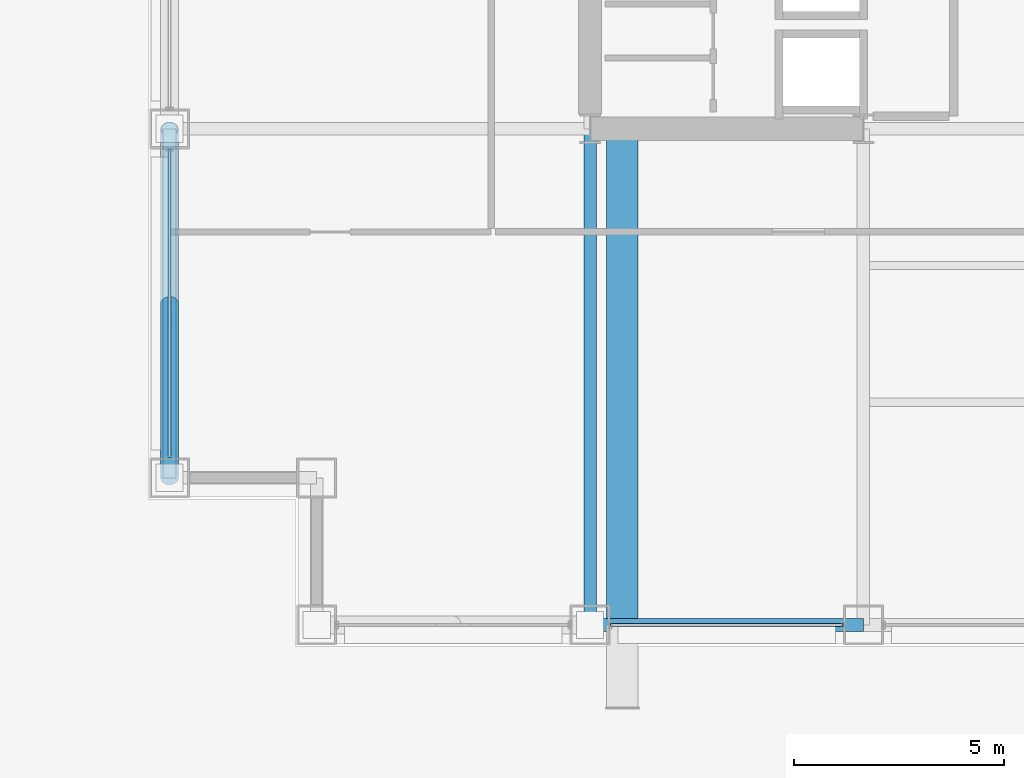
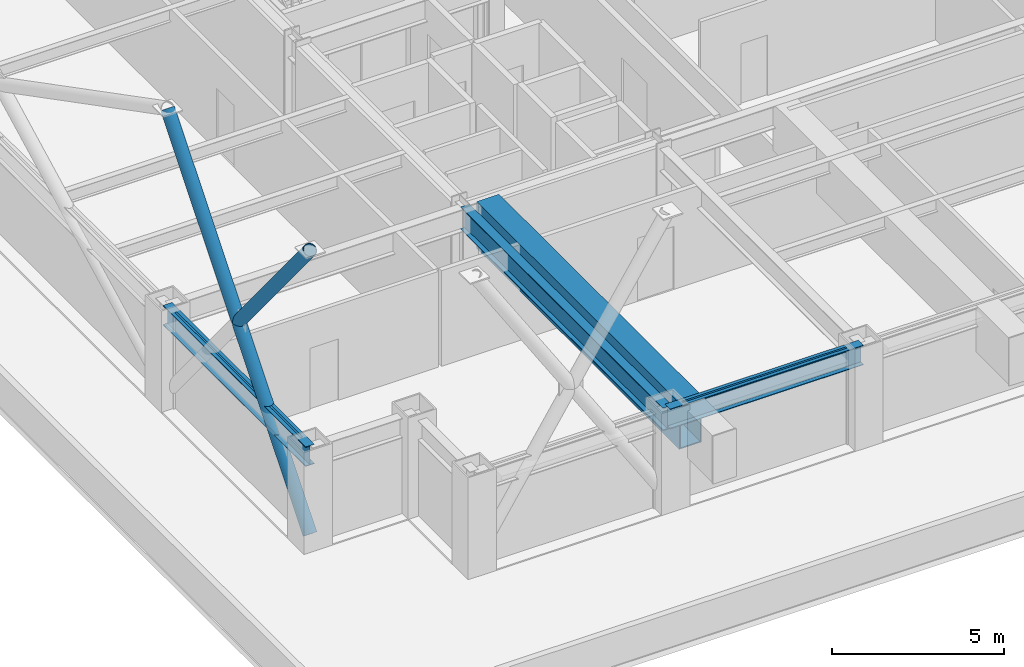
# One storey, part 3 of 33: 4 beams, 4 members, 2 elements without a shape of their own.
"""IFC4 building model written with IfcOpenShell, lengths in metres."""

from ifc_helpers import new_model, si_unit, direction, frame, origin, origin_2d, place, context, subcontext, project, spatial, hollow_rectangle, hollow_circle, i_section, extrude, material, layer, layer_set, material_profile, profile_set, type_object, element, aggregate, save


model = new_model("IFC4")

# Units and contexts
model_context = context("Model", 3, precision=1e-05, world=origin(), true_north=direction((0.0, 1.0)))
body_context = subcontext(model_context, "Body", "Model", "MODEL_VIEW")
ifc_project = project(units=[si_unit("LENGTHUNIT", "METRE"), si_unit("AREAUNIT", "SQUARE_METRE"), si_unit("VOLUMEUNIT", "CUBIC_METRE"), si_unit("PLANEANGLEUNIT", "RADIAN"), si_unit("MASSUNIT", "GRAM", prefix="KILO")], contexts=[model_context])

# Site, building, storey
site_placement = place(None, origin())
site = spatial("IfcSite", under=ifc_project, at=site_placement, CompositionType="ELEMENT")
building_placement = place(site_placement, origin())
building = spatial("IfcBuilding", under=site, at=building_placement, Name="Brelmoor Portico Tower", CompositionType="ELEMENT")
storey_placement = place(building_placement, frame((0.0, 0.0, 24.0)))
storey = spatial("IfcBuildingStorey", under=building, at=storey_placement, Name="L05", CompositionType="ELEMENT", Elevation=24.0)

# Beams
ifc_material_1 = material(Name="Steel Q355B", Category="steel")
ifc_material_profile_1 = material_profile(ifc_material_1, i_section(OverallWidth=0.300048828125, OverallDepth=0.800048828125, WebThickness=0.013916015625, FlangeThickness=0.02587890625, at=origin_2d()), Name="HN 800x300x14x26")
ifc_profile_set_1 = profile_set([ifc_material_profile_1], Name="Steel Q355B")
beam_type_1 = type_object("IfcBeamType", Name="BM-PG-800", PredefinedType="BEAM", material=ifc_profile_set_1)
beam_1_placement = place(storey_placement, frame((-14.550048828125, -21.550048828125, 3.0), z_axis=(0.0, 1.0, 0.0), x_axis=(-1.0, 0.0, 0.0)))
element("IfcBeam", 1, at=beam_1_placement, inside=storey, type_object=beam_type_1, Name="L05 Primary Floor Girder PG-03", PredefinedType="BEAM", context=body_context, shape_type="SweptSolid", body=[
    extrude(i_section(OverallWidth=0.300048828125, OverallDepth=0.800048828125, WebThickness=0.013916015625, FlangeThickness=0.02587890625, at=origin_2d()), origin(), (0.0, 0.0, 1.0), 11.800048828125),
])
ifc_material_profile_2 = material_profile(ifc_material_1, i_section(OverallWidth=0.300048828125, OverallDepth=0.699951171875, WebThickness=0.012939453125, FlangeThickness=0.02392578125, at=origin_2d()), Name="HN 700x300x13x24")
ifc_profile_set_2 = profile_set([ifc_material_profile_2], Name="Steel Q355B")
beam_type_2 = type_object("IfcBeamType", Name="BM-SP-700", PredefinedType="SPANDREL", material=ifc_profile_set_2)
beam_2_placement = place(storey_placement, frame((-14.550048828125, -21.550048828125, 3.050048828125), z_axis=(1.0, 0.0, 0.0), x_axis=(0.0, 1.0, 0.0)))
element("IfcBeam", 2, at=beam_2_placement, inside=storey, type_object=beam_type_2, Name="L05 Perimeter Spandrel Beam SP-02", PredefinedType="SPANDREL", context=body_context, shape_type="SweptSolid", body=[
    extrude(i_section(OverallWidth=0.300048828125, OverallDepth=0.699951171875, WebThickness=0.012939453125, FlangeThickness=0.02392578125, at=origin_2d()), origin(), (0.0, 0.0, 1.0), 6.5),
])
beam_3_placement = place(storey_placement, frame((-24.550048828125, -18.050048828125, 3.050048828125), z_axis=(0.0, 1.0, 0.0), x_axis=(-1.0, 0.0, 0.0)))
element("IfcBeam", 3, at=beam_3_placement, inside=storey, type_object=beam_type_2, Name="L05 Perimeter Spandrel Beam SP-15", PredefinedType="SPANDREL", context=body_context, shape_type="SweptSolid", body=[
    extrude(i_section(OverallWidth=0.300048828125, OverallDepth=0.699951171875, WebThickness=0.012939453125, FlangeThickness=0.02392578125, at=origin_2d()), origin(), (0.0, 0.0, 1.0), 8.300048828125),
])
ifc_material_profile_3 = material_profile(ifc_material_1, hollow_rectangle(XDim=0.75, YDim=1.659912109375, WallThickness=0.0419921875, at=origin_2d()), Name="BOX 750x1660x42")
ifc_profile_set_3 = profile_set([ifc_material_profile_3], Name="Steel Q355B")
beam_type_3 = type_object("IfcBeamType", Name="BM-TG-Z2", PredefinedType="BEAM", material=ifc_profile_set_3)
beam_4_placement = place(storey_placement, frame((-13.780029296875, -21.550048828125, 2.570068359375), z_axis=(0.0, 1.0, 0.0), x_axis=(-1.0, 0.0, 0.0)))
element("IfcBeam", 4, at=beam_4_placement, inside=storey, type_object=beam_type_3, Name="L05 Picture-Frame Backspan Transfer Girder PFBS-01", PredefinedType="BEAM", context=body_context, shape_type="SweptSolid", body=[
    extrude(hollow_rectangle(XDim=0.75, YDim=1.659912109375, WallThickness=0.0419921875, at=origin_2d()), origin(), (0.0, 0.0, 1.0), 11.800048828125),
])

# Members
ifc_material_profile_4 = material_profile(ifc_material_1, hollow_circle(Radius=0.212890625, WallThickness=0.02001953125, at=origin_2d()), Name="CHS 426x20")
ifc_profile_set_4 = profile_set([ifc_material_profile_4], Name="Steel Q355B")
member_type_1 = type_object("IfcMemberType", Name="MB-BELT-DIAG1", PredefinedType="BRACE", material=ifc_profile_set_4)
member_1_placement = place(storey_placement, frame((-24.550048828125, -18.050048828125, 0.25), z_axis=(0.0, 0.634901100083, 0.772593420315), x_axis=(-1.0, 0.0, 0.0)))
element("IfcMember", 5, at=member_1_placement, inside=storey, type_object=member_type_1, Name="L05 Continuous Mega-X Brace 005A", PredefinedType="BRACE", context=body_context, shape_type="SweptSolid", body=[
    extrude(hollow_circle(Radius=0.212890625, WallThickness=0.02001953125, at=origin_2d()), origin(), (0.0, 0.0, 1.0), 13.072998046875),
])
member_2_placement = place(storey_placement, frame((-24.550048828125, -13.89990234375, 5.300048828125), z_axis=(0.0, -0.634912247128, 0.772584259771), x_axis=(1.0, 0.0, 0.0)))
element("IfcMember", 6, at=member_2_placement, inside=storey, type_object=member_type_1, Name="L05 Split Mega-X Brace 005B2", PredefinedType="BRACE", context=body_context, shape_type="SweptSolid", body=[
    extrude(hollow_circle(Radius=0.212890625, WallThickness=0.02001953125, at=origin_2d()), origin(), (0.0, 0.0, 1.0), 6.53662109375),
])

# Curtain wall, member
ifc_material_2 = material(Name="Anodised Aluminium Alloy 6063-T6", Category="aluminium")
ifc_layer = layer(ifc_material_2, 0.179931640625)
ifc_layer_set = layer_set([ifc_layer], Name="Anodised Aluminium Alloy 6063-T6")
curtain_wall_type = type_object("IfcCurtainWallType", Name="CW-TOWER-Z1-XB", PredefinedType="NOTDEFINED", material=ifc_layer_set)
curtain_wall_1_placement = place(storey_placement, origin())
curtain_wall_1 = element("IfcCurtainWall", 7, at=curtain_wall_1_placement, inside=storey, type_object=curtain_wall_type, Name="L05 Curtain Wall CW-L05-01-2", PredefinedType="NOTDEFINED")
ifc_material_profile_5 = material_profile(ifc_material_2, hollow_rectangle(XDim=0.06494140625, YDim=0.139892578125, WallThickness=0.00390625, at=origin_2d()), Name="ALU TRANSOM 65x140")
ifc_profile_set_5 = profile_set([ifc_material_profile_5], Name="Anodised Aluminium Alloy 6063-T6")
member_type_2 = type_object("IfcMemberType", Name="MB-CW-TRAN-140", PredefinedType="USERDEFINED", material=ifc_profile_set_5)
member_3_placement = place(storey_placement, frame((-14.06494140625, -21.550048828125, 3.330078125), z_axis=(1.0, 0.0, 0.0), x_axis=(0.0, 1.0, 0.0)))
member_3 = element("IfcMember", 8, at=member_3_placement, type_object=member_type_2, Name="CW-L05-01-2 Transom 1-00", ObjectType="TRANSOM", PredefinedType="USERDEFINED", context=body_context, shape_type="SweptSolid", body=[
    extrude(hollow_rectangle(XDim=0.06494140625, YDim=0.139892578125, WallThickness=0.00390625, at=origin_2d()), origin(), (0.0, 0.0, 1.0), 5.530029296875),
])
aggregate(curtain_wall_1, [member_3])

curtain_wall_2_placement = place(storey_placement, origin())
curtain_wall_2 = element("IfcCurtainWall", 9, at=curtain_wall_2_placement, inside=storey, type_object=curtain_wall_type, Name="L05 Curtain Wall CW-L05-03-1", PredefinedType="NOTDEFINED")
member_4_placement = place(storey_placement, frame((-24.550048828125, -17.56494140625, 3.330078125), z_axis=(0.0, 1.0, 0.0), x_axis=(-1.0, 0.0, 0.0)))
member_4 = element("IfcMember", 10, at=member_4_placement, type_object=member_type_2, Name="CW-L05-03-1 Transom 1-00", ObjectType="TRANSOM", PredefinedType="USERDEFINED", context=body_context, shape_type="SweptSolid", body=[
    extrude(hollow_rectangle(XDim=0.06494140625, YDim=0.139892578125, WallThickness=0.00390625, at=origin_2d()), origin(), (0.0, 0.0, 1.0), 7.329833984375),
])
aggregate(curtain_wall_2, [member_4])

save(model, "model.ifc")
